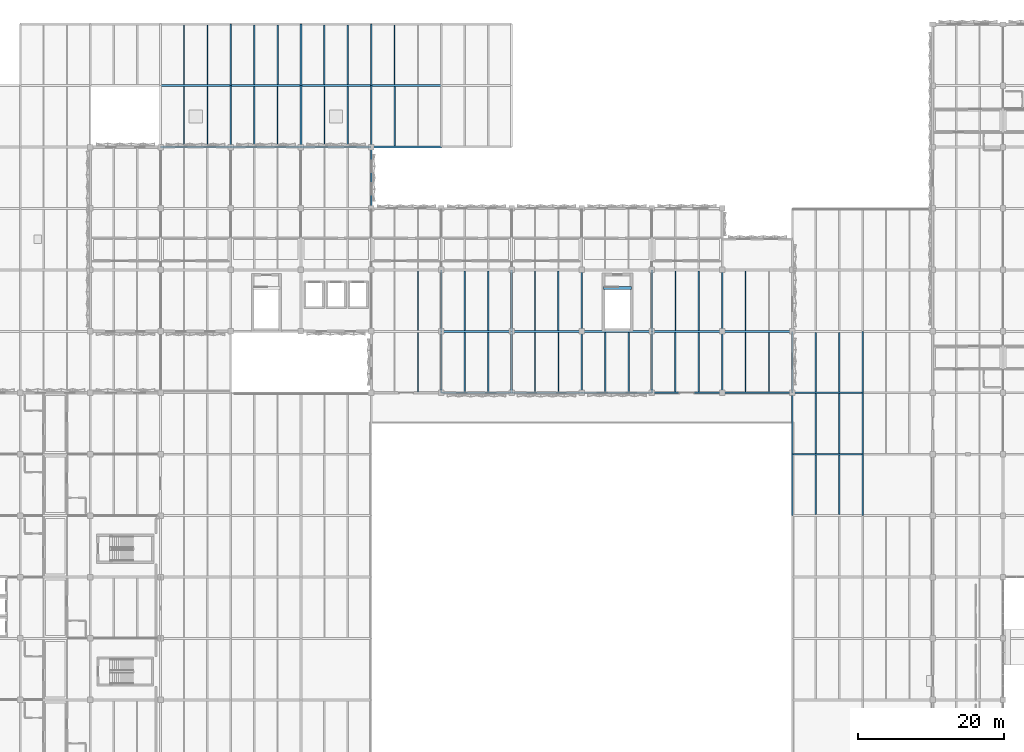
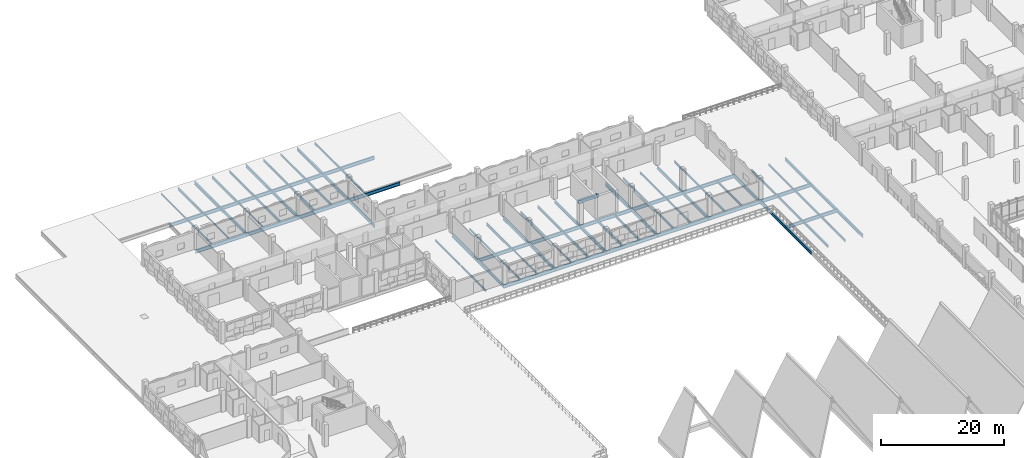
# One storey, part 13 of 86: 83 beams.
"""IFC4 building model written with IfcOpenShell, lengths in metres."""

from ifc_helpers import new_model, si_unit, direction, frame, origin, origin_2d, place, context, subcontext, project, spatial, rectangle, i_section, extrude, material, material_profile, profile_set, type_object, element, save


model = new_model("IFC4")

# Units and contexts
model_context = context("Model", 3, precision=1e-05, world=origin(), true_north=direction((0.0, 1.0)))
body_context = subcontext(model_context, "Body", "Model", "MODEL_VIEW")
ifc_project = project(units=[si_unit("LENGTHUNIT", "METRE"), si_unit("AREAUNIT", "SQUARE_METRE"), si_unit("VOLUMEUNIT", "CUBIC_METRE"), si_unit("PLANEANGLEUNIT", "RADIAN"), si_unit("MASSUNIT", "GRAM", prefix="KILO")], contexts=[model_context])

# Site, building, storey
site_placement = place(None, origin())
site = spatial("IfcSite", under=ifc_project, at=site_placement, CompositionType="ELEMENT")
building_placement = place(site_placement, origin())
building = spatial("IfcBuilding", under=site, at=building_placement, Name="Oolite Switchyard Hospital", CompositionType="ELEMENT")
storey_placement = place(building_placement, frame((0.0, 0.0, 13.5)))
storey = spatial("IfcBuildingStorey", under=building, at=storey_placement, Name="L03", CompositionType="ELEMENT", Elevation=13.5)

# Beams
ifc_material_1 = material(Name="Concrete C40/50", Category="concrete")
ifc_material_profile_1 = material_profile(ifc_material_1, rectangle(XDim=0.39990234375, YDim=0.60009765625, at=origin_2d()), Name="RCB400X600")
ifc_profile_set_1 = profile_set([ifc_material_profile_1], Name="Concrete C40/50")
beam_type_1 = type_object("IfcBeamType", Name="BM-RC400X600", PredefinedType="BEAM", material=ifc_profile_set_1)
beam_1_placement = place(storey_placement, frame((89.375, 98.31005859375, -0.300048828125), z_axis=(1.0, 0.0, 0.0), x_axis=(0.0, 1.0, 0.0)))
element("IfcBeam", 1, at=beam_1_placement, inside=storey, type_object=beam_type_1, Name="L03 ST-09 Stair Throat Trimmer Beam", PredefinedType="BEAM", context=body_context, shape_type="SweptSolid", body=[
    extrude(rectangle(XDim=0.39990234375, YDim=0.60009765625, at=origin_2d()), origin(), (0.0, 0.0, 1.0), 3.81005859375),
])
ifc_material_2 = material(Name="Steel ASTM A992 Grade 50", Category="steel")
ifc_material_profile_2 = material_profile(ifc_material_2, i_section(OverallWidth=0.1650390625, OverallDepth=0.31005859375, WebThickness=0.006103515625, FlangeThickness=0.010009765625, at=origin_2d()), Name="W12X26")
ifc_profile_set_2 = profile_set([ifc_material_profile_2], Name="Steel ASTM A992 Grade 50")
beam_type_2 = type_object("IfcBeamType", Name="BM-W12X26", PredefinedType="JOIST", material=ifc_profile_set_2)
beam_2_placement = place(storey_placement, frame((35.199951171875, 117.72705078125, -0.375), z_axis=(0.0, 1.0, 0.0), x_axis=(-1.0, 0.0, 0.0)))
element("IfcBeam", 2, at=beam_2_placement, inside=storey, type_object=beam_type_2, Name="L03 Secondary Steel Joist 2477", PredefinedType="JOIST", context=body_context, shape_type="SweptSolid", body=[
    extrude(i_section(OverallWidth=0.1650390625, OverallDepth=0.31005859375, WebThickness=0.006103515625, FlangeThickness=0.010009765625, at=origin_2d()), origin(), (0.0, 0.0, 1.0), 8.14599609375),
])
beam_3_placement = place(storey_placement, frame((32.0, 126.126953125, -0.375), z_axis=(0.0, 1.0, 0.0), x_axis=(-1.0, 0.0, 0.0)))
element("IfcBeam", 3, at=beam_3_placement, inside=storey, type_object=beam_type_2, Name="L03 Secondary Steel Joist 2478", PredefinedType="JOIST", context=body_context, shape_type="SweptSolid", body=[
    extrude(i_section(OverallWidth=0.1650390625, OverallDepth=0.31005859375, WebThickness=0.006103515625, FlangeThickness=0.010009765625, at=origin_2d()), origin(), (0.0, 0.0, 1.0), 8.14013671875),
])
for number, where, z_axis, x_axis, name in (
    (4, (41.60009765625, 117.72705078125, -0.375), (0.0, 1.0, 0.0), (-1.0, 0.0, 0.0), "L03 Secondary Steel Joist 2496"),
    (5, (64.0, 92.527099609375, -0.429931640625), (0.0, 1.0, 0.0), (-1.0, 0.0, 0.0), "L03 Secondary Steel Joist 2521"),
    (6, (73.60009765625, 84.126953125, -0.429931640625), (0.0, 1.0, 0.0), (-1.0, 0.0, 0.0), "L03 Secondary Steel Joist 2529"),
    (7, (70.39990234375, 92.527099609375, -0.429931640625), (0.0, 1.0, 0.0), (-1.0, 0.0, 0.0), "L03 Secondary Steel Joist 2530"),
    (8, (80.0, 84.126953125, -0.429931640625), (0.0, 1.0, 0.0), (-1.0, 0.0, 0.0), "L03 Secondary Steel Joist 2538"),
):
    element("IfcBeam", number, at=place(storey_placement, frame(where, z_axis=z_axis, x_axis=x_axis)), inside=storey, type_object=beam_type_2, Name=name, PredefinedType="JOIST", context=body_context, shape_type="SweptSolid", body=[
        extrude(i_section(OverallWidth=0.1650390625, OverallDepth=0.31005859375, WebThickness=0.006103515625, FlangeThickness=0.010009765625, at=origin_2d()), origin(), (0.0, 0.0, 1.0), 8.14599609375),
    ])
ifc_material_profile_3 = material_profile(ifc_material_2, i_section(OverallWidth=0.1708984375, OverallDepth=0.35107421875, WebThickness=0.007080078125, FlangeThickness=0.010009765625, at=origin_2d()), Name="W14X30")
ifc_profile_set_3 = profile_set([ifc_material_profile_3], Name="Steel ASTM A992 Grade 50")
beam_type_3 = type_object("IfcBeamType", Name="BM-W14X30", PredefinedType="JOIST", material=ifc_profile_set_3)
for number, where, z_axis, x_axis, name in (
    (9, (32.0, 117.72705078125, -0.39599609375), (0.0, 1.0, 0.0), (-1.0, 0.0, 0.0), "L03 Secondary Steel Joist 2476"),
    (10, (64.0, 84.126953125, -0.449951171875), (0.0, 1.0, 0.0), (-1.0, 0.0, 0.0), "L03 Secondary Steel Joist 2519"),
    (11, (70.39990234375, 84.126953125, -0.449951171875), (0.0, 1.0, 0.0), (-1.0, 0.0, 0.0), "L03 Secondary Steel Joist 2528"),
):
    element("IfcBeam", number, at=place(storey_placement, frame(where, z_axis=z_axis, x_axis=x_axis)), inside=storey, type_object=beam_type_3, Name=name, PredefinedType="JOIST", context=body_context, shape_type="SweptSolid", body=[
        extrude(i_section(OverallWidth=0.1708984375, OverallDepth=0.35107421875, WebThickness=0.007080078125, FlangeThickness=0.010009765625, at=origin_2d()), origin(), (0.0, 0.0, 1.0), 8.14599609375),
    ])
ifc_material_profile_4 = material_profile(ifc_material_2, i_section(OverallWidth=0.177978515625, OverallDepth=0.403076171875, WebThickness=0.008056640625, FlangeThickness=0.010986328125, at=origin_2d()), Name="W16X36")
ifc_profile_set_4 = profile_set([ifc_material_profile_4], Name="Steel ASTM A992 Grade 50")
beam_type_4 = type_object("IfcBeamType", Name="BM-W16X36", PredefinedType="JOIST", material=ifc_profile_set_4)
beam_4_placement = place(storey_placement, frame((121.60009765625, 84.126953125, -0.490966796875), z_axis=(0.0, 1.0, 0.0), x_axis=(-1.0, 0.0, 0.0)))
element("IfcBeam", 12, at=beam_4_placement, inside=storey, type_object=beam_type_4, Name="L03 Secondary Steel Joist 2569", PredefinedType="JOIST", context=body_context, shape_type="SweptSolid", body=[
    extrude(i_section(OverallWidth=0.177978515625, OverallDepth=0.403076171875, WebThickness=0.008056640625, FlangeThickness=0.010986328125, at=origin_2d()), origin(), (0.0, 0.0, 1.0), 8.14599609375),
])
ifc_material_profile_5 = material_profile(ifc_material_2, i_section(OverallWidth=0.179931640625, OverallDepth=0.4130859375, WebThickness=0.010009765625, FlangeThickness=0.01611328125, at=origin_2d()), Name="W16X50")
ifc_profile_set_5 = profile_set([ifc_material_profile_5], Name="Steel ASTM A992 Grade 50")
beam_type_5 = type_object("IfcBeamType", Name="BM-W16X50", PredefinedType="JOIST", material=ifc_profile_set_5)
for number, where, z_axis, x_axis, name in (
    (13, (102.39990234375, 92.527099609375, -0.48193359375), (0.0, 1.0, 0.0), (-1.0, 0.0, 0.0), "L03 Secondary Steel Joist 2551"),
    (14, (112.0, 84.126953125, -0.48193359375), (0.0, 1.0, 0.0), (-1.0, 0.0, 0.0), "L03 Secondary Steel Joist 2555"),
    (15, (108.800048828125, 92.527099609375, -0.48193359375), (0.0, 1.0, 0.0), (-1.0, 0.0, 0.0), "L03 Secondary Steel Joist 2556"),
    (16, (121.60009765625, 75.72705078125, -0.49609375), (0.0, 1.0, 0.0), (-1.0, 0.0, 0.0), "L03 Secondary Steel Joist 2567"),
    (17, (118.39990234375, 84.126953125, -0.49609375), (0.0, 1.0, 0.0), (-1.0, 0.0, 0.0), "L03 Secondary Steel Joist 2568"),
):
    element("IfcBeam", number, at=place(storey_placement, frame(where, z_axis=z_axis, x_axis=x_axis)), inside=storey, type_object=beam_type_5, Name=name, PredefinedType="JOIST", context=body_context, shape_type="SweptSolid", body=[
        extrude(i_section(OverallWidth=0.179931640625, OverallDepth=0.4130859375, WebThickness=0.010009765625, FlangeThickness=0.01611328125, at=origin_2d()), origin(), (0.0, 0.0, 1.0), 8.14599609375),
    ])
ifc_material_profile_6 = material_profile(ifc_material_2, i_section(OverallWidth=0.153076171875, OverallDepth=0.455078125, WebThickness=0.008056640625, FlangeThickness=0.012939453125, at=origin_2d()), Name="W18X40")
ifc_profile_set_6 = profile_set([ifc_material_profile_6], Name="Steel ASTM A992 Grade 50")
beam_type_6 = type_object("IfcBeamType", Name="BM-W18X40", PredefinedType="JOIST", material=ifc_profile_set_6)
for number, where, z_axis, x_axis, name in (
    (18, (54.39990234375, 126.126953125, -0.447998046875), (0.0, 1.0, 0.0), (-1.0, 0.0, 0.0), "L03 Secondary Steel Joist 2517"),
    (19, (60.800048828125, 126.126953125, -0.447998046875), (0.0, 1.0, 0.0), (-1.0, 0.0, 0.0), "L03 Secondary Steel Joist 2526"),
):
    element("IfcBeam", number, at=place(storey_placement, frame(where, z_axis=z_axis, x_axis=x_axis)), inside=storey, type_object=beam_type_6, Name=name, PredefinedType="JOIST", context=body_context, shape_type="SweptSolid", body=[
        extrude(i_section(OverallWidth=0.153076171875, OverallDepth=0.455078125, WebThickness=0.008056640625, FlangeThickness=0.012939453125, at=origin_2d()), origin(), (0.0, 0.0, 1.0), 8.14013671875),
    ])
for number, where, z_axis, x_axis, name in (
    (20, (102.39990234375, 84.126953125, -0.501953125), (0.0, 1.0, 0.0), (-1.0, 0.0, 0.0), "L03 Secondary Steel Joist 2549"),
    (21, (99.199951171875, 92.527099609375, -0.501953125), (0.0, 1.0, 0.0), (-1.0, 0.0, 0.0), "L03 Secondary Steel Joist 2550"),
    (22, (108.800048828125, 84.126953125, -0.501953125), (0.0, 1.0, 0.0), (-1.0, 0.0, 0.0), "L03 Secondary Steel Joist 2554"),
    (23, (121.60009765625, 67.326904296875, -0.51708984375), (0.0, 1.0, 0.0), (-1.0, 0.0, 0.0), "L03 Secondary Steel Joist 2565"),
    (24, (118.39990234375, 75.72705078125, -0.51708984375), (0.0, 1.0, 0.0), (-1.0, 0.0, 0.0), "L03 Secondary Steel Joist 2566"),
):
    element("IfcBeam", number, at=place(storey_placement, frame(where, z_axis=z_axis, x_axis=x_axis)), inside=storey, type_object=beam_type_6, Name=name, PredefinedType="JOIST", context=body_context, shape_type="SweptSolid", body=[
        extrude(i_section(OverallWidth=0.153076171875, OverallDepth=0.455078125, WebThickness=0.008056640625, FlangeThickness=0.012939453125, at=origin_2d()), origin(), (0.0, 0.0, 1.0), 8.14599609375),
    ])
ifc_material_profile_7 = material_profile(ifc_material_2, i_section(OverallWidth=0.19091796875, OverallDepth=0.4599609375, WebThickness=0.010009765625, FlangeThickness=0.01611328125, at=origin_2d()), Name="W18X55")
ifc_profile_set_7 = profile_set([ifc_material_profile_7], Name="Steel ASTM A992 Grade 50")
beam_type_7 = type_object("IfcBeamType", Name="BM-W18X55", PredefinedType="JOIST", material=ifc_profile_set_7)
beam_5_placement = place(storey_placement, frame((44.800048828125, 126.126953125, -0.449951171875), z_axis=(0.0, 1.0, 0.0), x_axis=(-1.0, 0.0, 0.0)))
element("IfcBeam", 25, at=beam_5_placement, inside=storey, type_object=beam_type_7, Name="L03 Secondary Steel Joist 2499", PredefinedType="JOIST", context=body_context, shape_type="SweptSolid", body=[
    extrude(i_section(OverallWidth=0.19091796875, OverallDepth=0.4599609375, WebThickness=0.010009765625, FlangeThickness=0.01611328125, at=origin_2d()), origin(), (0.0, 0.0, 1.0), 8.14013671875),
])
beam_6_placement = place(storey_placement, frame((54.39990234375, 117.72705078125, -0.449951171875), z_axis=(0.0, 1.0, 0.0), x_axis=(-1.0, 0.0, 0.0)))
element("IfcBeam", 26, at=beam_6_placement, inside=storey, type_object=beam_type_7, Name="L03 Secondary Steel Joist 2515", PredefinedType="JOIST", context=body_context, shape_type="SweptSolid", body=[
    extrude(i_section(OverallWidth=0.19091796875, OverallDepth=0.4599609375, WebThickness=0.010009765625, FlangeThickness=0.01611328125, at=origin_2d()), origin(), (0.0, 0.0, 1.0), 8.14599609375),
])
beam_7_placement = place(storey_placement, frame((51.199951171875, 126.126953125, -0.449951171875), z_axis=(0.0, 1.0, 0.0), x_axis=(-1.0, 0.0, 0.0)))
element("IfcBeam", 27, at=beam_7_placement, inside=storey, type_object=beam_type_7, Name="L03 Secondary Steel Joist 2516", PredefinedType="JOIST", context=body_context, shape_type="SweptSolid", body=[
    extrude(i_section(OverallWidth=0.19091796875, OverallDepth=0.4599609375, WebThickness=0.010009765625, FlangeThickness=0.01611328125, at=origin_2d()), origin(), (0.0, 0.0, 1.0), 8.14013671875),
])
for number, where, z_axis, x_axis, name in (
    (28, (60.800048828125, 117.72705078125, -0.449951171875), (0.0, 1.0, 0.0), (-1.0, 0.0, 0.0), "L03 Secondary Steel Joist 2524"),
    (29, (83.199951171875, 92.527099609375, -0.5048828125), (0.0, 1.0, 0.0), (-1.0, 0.0, 0.0), "L03 Secondary Steel Joist 2541"),
    (30, (92.800048828125, 84.126953125, -0.5048828125), (0.0, 1.0, 0.0), (-1.0, 0.0, 0.0), "L03 Secondary Steel Joist 2545"),
    (31, (99.199951171875, 84.126953125, -0.5048828125), (0.0, 1.0, 0.0), (-1.0, 0.0, 0.0), "L03 Secondary Steel Joist 2548"),
    (32, (118.39990234375, 67.326904296875, -0.52001953125), (0.0, 1.0, 0.0), (-1.0, 0.0, 0.0), "L03 Secondary Steel Joist 2564"),
):
    element("IfcBeam", number, at=place(storey_placement, frame(where, z_axis=z_axis, x_axis=x_axis)), inside=storey, type_object=beam_type_7, Name=name, PredefinedType="JOIST", context=body_context, shape_type="SweptSolid", body=[
        extrude(i_section(OverallWidth=0.19091796875, OverallDepth=0.4599609375, WebThickness=0.010009765625, FlangeThickness=0.01611328125, at=origin_2d()), origin(), (0.0, 0.0, 1.0), 8.14599609375),
    ])
ifc_material_profile_8 = material_profile(ifc_material_2, i_section(OverallWidth=0.166015625, OverallDepth=0.529052734375, WebThickness=0.010009765625, FlangeThickness=0.013916015625, at=origin_2d()), Name="W21X50")
ifc_profile_set_8 = profile_set([ifc_material_profile_8], Name="Steel ASTM A992 Grade 50")
beam_type_8 = type_object("IfcBeamType", Name="BM-W21X50", PredefinedType="JOIST", material=ifc_profile_set_8)
beam_8_placement = place(storey_placement, frame((35.199951171875, 126.126953125, -0.48388671875), z_axis=(0.0, 1.0, 0.0), x_axis=(-1.0, 0.0, 0.0)))
element("IfcBeam", 33, at=beam_8_placement, inside=storey, type_object=beam_type_8, Name="L03 Secondary Steel Joist 2479", PredefinedType="JOIST", context=body_context, shape_type="SweptSolid", body=[
    extrude(i_section(OverallWidth=0.166015625, OverallDepth=0.529052734375, WebThickness=0.010009765625, FlangeThickness=0.013916015625, at=origin_2d()), origin(), (0.0, 0.0, 1.0), 8.14013671875),
])
beam_9_placement = place(storey_placement, frame((44.800048828125, 117.72705078125, -0.48388671875), z_axis=(0.0, 1.0, 0.0), x_axis=(-1.0, 0.0, 0.0)))
element("IfcBeam", 34, at=beam_9_placement, inside=storey, type_object=beam_type_8, Name="L03 Secondary Steel Joist 2497", PredefinedType="JOIST", context=body_context, shape_type="SweptSolid", body=[
    extrude(i_section(OverallWidth=0.166015625, OverallDepth=0.529052734375, WebThickness=0.010009765625, FlangeThickness=0.013916015625, at=origin_2d()), origin(), (0.0, 0.0, 1.0), 8.14599609375),
])
beam_10_placement = place(storey_placement, frame((41.60009765625, 126.126953125, -0.48388671875), z_axis=(0.0, 1.0, 0.0), x_axis=(-1.0, 0.0, 0.0)))
element("IfcBeam", 35, at=beam_10_placement, inside=storey, type_object=beam_type_8, Name="L03 Secondary Steel Joist 2498", PredefinedType="JOIST", context=body_context, shape_type="SweptSolid", body=[
    extrude(i_section(OverallWidth=0.166015625, OverallDepth=0.529052734375, WebThickness=0.010009765625, FlangeThickness=0.013916015625, at=origin_2d()), origin(), (0.0, 0.0, 1.0), 8.14013671875),
])
for number, where, z_axis, x_axis, name in (
    (36, (51.199951171875, 117.72705078125, -0.48388671875), (0.0, 1.0, 0.0), (-1.0, 0.0, 0.0), "L03 Secondary Steel Joist 2514"),
    (37, (73.60009765625, 92.527099609375, -0.5400390625), (0.0, 1.0, 0.0), (-1.0, 0.0, 0.0), "L03 Secondary Steel Joist 2531"),
    (38, (83.199951171875, 84.126953125, -0.5400390625), (0.0, 1.0, 0.0), (-1.0, 0.0, 0.0), "L03 Secondary Steel Joist 2539"),
    (39, (80.0, 92.527099609375, -0.5400390625), (0.0, 1.0, 0.0), (-1.0, 0.0, 0.0), "L03 Secondary Steel Joist 2540"),
    (40, (89.60009765625, 84.126953125, -0.5400390625), (0.0, 1.0, 0.0), (-1.0, 0.0, 0.0), "L03 Secondary Steel Joist 2544"),
):
    element("IfcBeam", number, at=place(storey_placement, frame(where, z_axis=z_axis, x_axis=x_axis)), inside=storey, type_object=beam_type_8, Name=name, PredefinedType="JOIST", context=body_context, shape_type="SweptSolid", body=[
        extrude(i_section(OverallWidth=0.166015625, OverallDepth=0.529052734375, WebThickness=0.010009765625, FlangeThickness=0.013916015625, at=origin_2d()), origin(), (0.0, 0.0, 1.0), 8.14599609375),
    ])
ifc_material_profile_9 = material_profile(ifc_material_2, i_section(OverallWidth=0.22900390625, OverallDepth=0.612060546875, WebThickness=0.011962890625, FlangeThickness=0.02001953125, at=origin_2d()), Name="W24X84")
ifc_profile_set_9 = profile_set([ifc_material_profile_9], Name="Steel ASTM A992 Grade 50")
beam_type_9 = type_object("IfcBeamType", Name="BM-W24X84", PredefinedType="BEAM", material=ifc_profile_set_9)
for number, where, z_axis, x_axis, name in (
    (41, (38.39990234375, 117.60009765625, -0.52587890625), (0.0, 1.0, 0.0), (-1.0, 0.0, 0.0), "L03 Y-Girder 2221"),
    (42, (38.39990234375, 126.0, -0.52587890625), (0.0, 1.0, 0.0), (-1.0, 0.0, 0.0), "L03 Y-Girder 2222"),
    (43, (48.0, 117.60009765625, -0.52587890625), (0.0, 1.0, 0.0), (-1.0, 0.0, 0.0), "L03 Y-Girder 2232"),
    (44, (48.0, 126.0, -0.52587890625), (0.0, 1.0, 0.0), (-1.0, 0.0, 0.0), "L03 Y-Girder 2233"),
):
    element("IfcBeam", number, at=place(storey_placement, frame(where, z_axis=z_axis, x_axis=x_axis)), inside=storey, type_object=beam_type_9, Name=name, PredefinedType="BEAM", context=body_context, shape_type="SweptSolid", body=[
        extrude(i_section(OverallWidth=0.22900390625, OverallDepth=0.612060546875, WebThickness=0.011962890625, FlangeThickness=0.02001953125, at=origin_2d()), origin(), (0.0, 0.0, 1.0), 8.39990234375),
    ])
beam_11_placement = place(storey_placement, frame((57.60009765625, 109.199951171875, -0.6259765625), z_axis=(0.0, 1.0, 0.0), x_axis=(-1.0, 0.0, 0.0)))
element("IfcBeam", 45, at=beam_11_placement, inside=storey, type_object=beam_type_9, Name="L03 Y-Girder 2243", PredefinedType="BEAM", context=body_context, shape_type="SweptSolid", body=[
    extrude(i_section(OverallWidth=0.22900390625, OverallDepth=0.612060546875, WebThickness=0.011962890625, FlangeThickness=0.02001953125, at=origin_2d()), origin(), (0.0, 0.0, 1.0), 8.400146484375),
])
for number, where, z_axis, x_axis, name in (
    (46, (57.60009765625, 117.60009765625, -0.52587890625), (0.0, 1.0, 0.0), (-1.0, 0.0, 0.0), "L03 Y-Girder 2244"),
    (47, (57.60009765625, 126.0, -0.52587890625), (0.0, 1.0, 0.0), (-1.0, 0.0, 0.0), "L03 Y-Girder 2245"),
    (48, (67.199951171875, 84.0, -0.5810546875), (0.0, 1.0, 0.0), (-1.0, 0.0, 0.0), "L03 Y-Girder 2246"),
):
    element("IfcBeam", number, at=place(storey_placement, frame(where, z_axis=z_axis, x_axis=x_axis)), inside=storey, type_object=beam_type_9, Name=name, PredefinedType="BEAM", context=body_context, shape_type="SweptSolid", body=[
        extrude(i_section(OverallWidth=0.22900390625, OverallDepth=0.612060546875, WebThickness=0.011962890625, FlangeThickness=0.02001953125, at=origin_2d()), origin(), (0.0, 0.0, 1.0), 8.39990234375),
    ])
beam_12_placement = place(storey_placement, frame((67.199951171875, 92.39990234375, -0.5810546875), z_axis=(0.0, 1.0, 0.0), x_axis=(-1.0, 0.0, 0.0)))
element("IfcBeam", 49, at=beam_12_placement, inside=storey, type_object=beam_type_9, Name="L03 Y-Girder 2247", PredefinedType="BEAM", context=body_context, shape_type="SweptSolid", body=[
    extrude(i_section(OverallWidth=0.22900390625, OverallDepth=0.612060546875, WebThickness=0.011962890625, FlangeThickness=0.02001953125, at=origin_2d()), origin(), (0.0, 0.0, 1.0), 8.400146484375),
])
beam_13_placement = place(storey_placement, frame((76.800048828125, 84.0, -0.5810546875), z_axis=(0.0, 1.0, 0.0), x_axis=(-1.0, 0.0, 0.0)))
element("IfcBeam", 50, at=beam_13_placement, inside=storey, type_object=beam_type_9, Name="L03 Y-Girder 2251", PredefinedType="BEAM", context=body_context, shape_type="SweptSolid", body=[
    extrude(i_section(OverallWidth=0.22900390625, OverallDepth=0.612060546875, WebThickness=0.011962890625, FlangeThickness=0.02001953125, at=origin_2d()), origin(), (0.0, 0.0, 1.0), 8.39990234375),
])
beam_14_placement = place(storey_placement, frame((76.800048828125, 92.39990234375, -0.5810546875), z_axis=(0.0, 1.0, 0.0), x_axis=(-1.0, 0.0, 0.0)))
element("IfcBeam", 51, at=beam_14_placement, inside=storey, type_object=beam_type_9, Name="L03 Y-Girder 2252", PredefinedType="BEAM", context=body_context, shape_type="SweptSolid", body=[
    extrude(i_section(OverallWidth=0.22900390625, OverallDepth=0.612060546875, WebThickness=0.011962890625, FlangeThickness=0.02001953125, at=origin_2d()), origin(), (0.0, 0.0, 1.0), 8.400146484375),
])
beam_15_placement = place(storey_placement, frame((86.39990234375, 84.0, -0.5810546875), z_axis=(0.0, 1.0, 0.0), x_axis=(-1.0, 0.0, 0.0)))
element("IfcBeam", 52, at=beam_15_placement, inside=storey, type_object=beam_type_9, Name="L03 Y-Girder 2256", PredefinedType="BEAM", context=body_context, shape_type="SweptSolid", body=[
    extrude(i_section(OverallWidth=0.22900390625, OverallDepth=0.612060546875, WebThickness=0.011962890625, FlangeThickness=0.02001953125, at=origin_2d()), origin(), (0.0, 0.0, 1.0), 8.39990234375),
])
beam_16_placement = place(storey_placement, frame((86.39990234375, 92.39990234375, -0.5810546875), z_axis=(0.0, 1.0, 0.0), x_axis=(-1.0, 0.0, 0.0)))
element("IfcBeam", 53, at=beam_16_placement, inside=storey, type_object=beam_type_9, Name="L03 Y-Girder 2257", PredefinedType="BEAM", context=body_context, shape_type="SweptSolid", body=[
    extrude(i_section(OverallWidth=0.22900390625, OverallDepth=0.612060546875, WebThickness=0.011962890625, FlangeThickness=0.02001953125, at=origin_2d()), origin(), (0.0, 0.0, 1.0), 8.400146484375),
])
beam_17_placement = place(storey_placement, frame((96.0, 84.0, -0.5810546875), z_axis=(0.0, 1.0, 0.0), x_axis=(-1.0, 0.0, 0.0)))
element("IfcBeam", 54, at=beam_17_placement, inside=storey, type_object=beam_type_9, Name="L03 Y-Girder 2259", PredefinedType="BEAM", context=body_context, shape_type="SweptSolid", body=[
    extrude(i_section(OverallWidth=0.22900390625, OverallDepth=0.612060546875, WebThickness=0.011962890625, FlangeThickness=0.02001953125, at=origin_2d()), origin(), (0.0, 0.0, 1.0), 8.39990234375),
])
beam_18_placement = place(storey_placement, frame((96.0, 92.39990234375, -0.5810546875), z_axis=(0.0, 1.0, 0.0), x_axis=(-1.0, 0.0, 0.0)))
element("IfcBeam", 55, at=beam_18_placement, inside=storey, type_object=beam_type_9, Name="L03 Y-Girder 2260", PredefinedType="BEAM", context=body_context, shape_type="SweptSolid", body=[
    extrude(i_section(OverallWidth=0.22900390625, OverallDepth=0.612060546875, WebThickness=0.011962890625, FlangeThickness=0.02001953125, at=origin_2d()), origin(), (0.0, 0.0, 1.0), 8.400146484375),
])
beam_19_placement = place(storey_placement, frame((105.60009765625, 84.0, -0.5810546875), z_axis=(0.0, 1.0, 0.0), x_axis=(-1.0, 0.0, 0.0)))
element("IfcBeam", 56, at=beam_19_placement, inside=storey, type_object=beam_type_9, Name="L03 Y-Girder 2262", PredefinedType="BEAM", context=body_context, shape_type="SweptSolid", body=[
    extrude(i_section(OverallWidth=0.22900390625, OverallDepth=0.612060546875, WebThickness=0.011962890625, FlangeThickness=0.02001953125, at=origin_2d()), origin(), (0.0, 0.0, 1.0), 8.39990234375),
])
for number, where, z_axis, x_axis, name in (
    (57, (105.60009765625, 92.39990234375, -0.5810546875), (0.0, 1.0, 0.0), (-1.0, 0.0, 0.0), "L03 Y-Girder 2263"),
    (58, (115.199951171875, 67.199951171875, -0.595947265625), (0.0, 1.0, 0.0), (-1.0, 0.0, 0.0), "L03 Y-Girder 2269"),
):
    element("IfcBeam", number, at=place(storey_placement, frame(where, z_axis=z_axis, x_axis=x_axis)), inside=storey, type_object=beam_type_9, Name=name, PredefinedType="BEAM", context=body_context, shape_type="SweptSolid", body=[
        extrude(i_section(OverallWidth=0.22900390625, OverallDepth=0.612060546875, WebThickness=0.011962890625, FlangeThickness=0.02001953125, at=origin_2d()), origin(), (0.0, 0.0, 1.0), 8.400146484375),
    ])
for number, where, z_axis, x_axis, name in (
    (59, (115.199951171875, 75.60009765625, -0.595947265625), (0.0, 1.0, 0.0), (-1.0, 0.0, 0.0), "L03 Y-Girder 2270"),
    (60, (115.199951171875, 84.0, -0.595947265625), (0.0, 1.0, 0.0), (-1.0, 0.0, 0.0), "L03 Y-Girder 2271"),
):
    element("IfcBeam", number, at=place(storey_placement, frame(where, z_axis=z_axis, x_axis=x_axis)), inside=storey, type_object=beam_type_9, Name=name, PredefinedType="BEAM", context=body_context, shape_type="SweptSolid", body=[
        extrude(i_section(OverallWidth=0.22900390625, OverallDepth=0.612060546875, WebThickness=0.011962890625, FlangeThickness=0.02001953125, at=origin_2d()), origin(), (0.0, 0.0, 1.0), 8.39990234375),
    ])
beam_20_placement = place(storey_placement, frame((124.800048828125, 67.199951171875, -0.595947265625), z_axis=(0.0, 1.0, 0.0), x_axis=(-1.0, 0.0, 0.0)))
element("IfcBeam", 61, at=beam_20_placement, inside=storey, type_object=beam_type_9, Name="L03 Y-Girder 2278", PredefinedType="BEAM", context=body_context, shape_type="SweptSolid", body=[
    extrude(i_section(OverallWidth=0.22900390625, OverallDepth=0.612060546875, WebThickness=0.011962890625, FlangeThickness=0.02001953125, at=origin_2d()), origin(), (0.0, 0.0, 1.0), 8.400146484375),
])
for number, where, z_axis, x_axis, name in (
    (62, (124.800048828125, 75.60009765625, -0.595947265625), (0.0, 1.0, 0.0), (-1.0, 0.0, 0.0), "L03 Y-Girder 2279"),
    (63, (124.800048828125, 84.0, -0.595947265625), (0.0, 1.0, 0.0), (-1.0, 0.0, 0.0), "L03 Y-Girder 2280"),
):
    element("IfcBeam", number, at=place(storey_placement, frame(where, z_axis=z_axis, x_axis=x_axis)), inside=storey, type_object=beam_type_9, Name=name, PredefinedType="BEAM", context=body_context, shape_type="SweptSolid", body=[
        extrude(i_section(OverallWidth=0.22900390625, OverallDepth=0.612060546875, WebThickness=0.011962890625, FlangeThickness=0.02001953125, at=origin_2d()), origin(), (0.0, 0.0, 1.0), 8.39990234375),
    ])
ifc_material_profile_10 = material_profile(ifc_material_2, i_section(OverallWidth=0.25390625, OverallDepth=0.68408203125, WebThickness=0.011962890625, FlangeThickness=0.01904296875, at=origin_2d()), Name="W27X94")
ifc_profile_set_10 = profile_set([ifc_material_profile_10], Name="Steel ASTM A992 Grade 50")
beam_type_10 = type_object("IfcBeamType", Name="BM-W27X94", PredefinedType="BEAM", material=ifc_profile_set_10)
for number, where, z_axis, x_axis, name in (
    (64, (115.199951171875, 75.60009765625, -0.632080078125), (1.0, 0.0, 0.0), (0.0, 1.0, 0.0), "L03 X-Girder 2029"),
    (65, (67.199951171875, 84.0, -0.632080078125), (1.0, 0.0, 0.0), (0.0, 1.0, 0.0), "L03 X-Girder 2045"),
):
    element("IfcBeam", number, at=place(storey_placement, frame(where, z_axis=z_axis, x_axis=x_axis)), inside=storey, type_object=beam_type_10, Name=name, PredefinedType="BEAM", context=body_context, shape_type="SweptSolid", body=[
        extrude(i_section(OverallWidth=0.25390625, OverallDepth=0.68408203125, WebThickness=0.011962890625, FlangeThickness=0.01904296875, at=origin_2d()), origin(), (0.0, 0.0, 1.0), 9.60009765625),
    ])
beam_21_placement = place(storey_placement, frame((76.800048828125, 84.0, -0.632080078125), z_axis=(1.0, 0.0, 0.0), x_axis=(0.0, 1.0, 0.0)))
element("IfcBeam", 66, at=beam_21_placement, inside=storey, type_object=beam_type_10, Name="L03 X-Girder 2046", PredefinedType="BEAM", context=body_context, shape_type="SweptSolid", body=[
    extrude(i_section(OverallWidth=0.25390625, OverallDepth=0.68408203125, WebThickness=0.011962890625, FlangeThickness=0.01904296875, at=origin_2d()), origin(), (0.0, 0.0, 1.0), 9.599853515625),
])
for number, where, z_axis, x_axis, name in (
    (67, (86.39990234375, 84.0, -0.632080078125), (1.0, 0.0, 0.0), (0.0, 1.0, 0.0), "L03 X-Girder 2047"),
    (68, (96.0, 84.0, -0.632080078125), (1.0, 0.0, 0.0), (0.0, 1.0, 0.0), "L03 X-Girder 2048"),
):
    element("IfcBeam", number, at=place(storey_placement, frame(where, z_axis=z_axis, x_axis=x_axis)), inside=storey, type_object=beam_type_10, Name=name, PredefinedType="BEAM", context=body_context, shape_type="SweptSolid", body=[
        extrude(i_section(OverallWidth=0.25390625, OverallDepth=0.68408203125, WebThickness=0.011962890625, FlangeThickness=0.01904296875, at=origin_2d()), origin(), (0.0, 0.0, 1.0), 9.60009765625),
    ])
beam_22_placement = place(storey_placement, frame((105.60009765625, 84.0, -0.632080078125), z_axis=(1.0, 0.0, 0.0), x_axis=(0.0, 1.0, 0.0)))
element("IfcBeam", 69, at=beam_22_placement, inside=storey, type_object=beam_type_10, Name="L03 X-Girder 2049", PredefinedType="BEAM", context=body_context, shape_type="SweptSolid", body=[
    extrude(i_section(OverallWidth=0.25390625, OverallDepth=0.68408203125, WebThickness=0.011962890625, FlangeThickness=0.01904296875, at=origin_2d()), origin(), (0.0, 0.0, 1.0), 9.599853515625),
])
for number, where, z_axis, x_axis, name in (
    (70, (115.199951171875, 84.0, -0.632080078125), (1.0, 0.0, 0.0), (0.0, 1.0, 0.0), "L03 X-Girder 2050"),
    (71, (67.199951171875, 92.39990234375, -0.616943359375), (1.0, 0.0, 0.0), (0.0, 1.0, 0.0), "L03 X-Girder 2063"),
):
    element("IfcBeam", number, at=place(storey_placement, frame(where, z_axis=z_axis, x_axis=x_axis)), inside=storey, type_object=beam_type_10, Name=name, PredefinedType="BEAM", context=body_context, shape_type="SweptSolid", body=[
        extrude(i_section(OverallWidth=0.25390625, OverallDepth=0.68408203125, WebThickness=0.011962890625, FlangeThickness=0.01904296875, at=origin_2d()), origin(), (0.0, 0.0, 1.0), 9.60009765625),
    ])
beam_23_placement = place(storey_placement, frame((76.800048828125, 92.39990234375, -0.616943359375), z_axis=(1.0, 0.0, 0.0), x_axis=(0.0, 1.0, 0.0)))
element("IfcBeam", 72, at=beam_23_placement, inside=storey, type_object=beam_type_10, Name="L03 X-Girder 2064", PredefinedType="BEAM", context=body_context, shape_type="SweptSolid", body=[
    extrude(i_section(OverallWidth=0.25390625, OverallDepth=0.68408203125, WebThickness=0.011962890625, FlangeThickness=0.01904296875, at=origin_2d()), origin(), (0.0, 0.0, 1.0), 9.599853515625),
])
for number, where, z_axis, x_axis, name in (
    (73, (86.39990234375, 92.39990234375, -0.616943359375), (1.0, 0.0, 0.0), (0.0, 1.0, 0.0), "L03 X-Girder 2065"),
    (74, (96.0, 92.39990234375, -0.616943359375), (1.0, 0.0, 0.0), (0.0, 1.0, 0.0), "L03 X-Girder 2066"),
):
    element("IfcBeam", number, at=place(storey_placement, frame(where, z_axis=z_axis, x_axis=x_axis)), inside=storey, type_object=beam_type_10, Name=name, PredefinedType="BEAM", context=body_context, shape_type="SweptSolid", body=[
        extrude(i_section(OverallWidth=0.25390625, OverallDepth=0.68408203125, WebThickness=0.011962890625, FlangeThickness=0.01904296875, at=origin_2d()), origin(), (0.0, 0.0, 1.0), 9.60009765625),
    ])
for number, where, z_axis, x_axis, name in (
    (75, (105.60009765625, 92.39990234375, -0.616943359375), (1.0, 0.0, 0.0), (0.0, 1.0, 0.0), "L03 X-Girder 2067"),
    (76, (28.800048828125, 117.60009765625, -0.662109375), (1.0, 0.0, 0.0), (0.0, 1.0, 0.0), "L03 X-Girder 2120"),
):
    element("IfcBeam", number, at=place(storey_placement, frame(where, z_axis=z_axis, x_axis=x_axis)), inside=storey, type_object=beam_type_10, Name=name, PredefinedType="BEAM", context=body_context, shape_type="SweptSolid", body=[
        extrude(i_section(OverallWidth=0.25390625, OverallDepth=0.68408203125, WebThickness=0.011962890625, FlangeThickness=0.01904296875, at=origin_2d()), origin(), (0.0, 0.0, 1.0), 9.599853515625),
    ])
for number, where, z_axis, x_axis, name in (
    (77, (38.39990234375, 117.60009765625, -0.662109375), (1.0, 0.0, 0.0), (0.0, 1.0, 0.0), "L03 X-Girder 2121"),
    (78, (48.0, 117.60009765625, -0.662109375), (1.0, 0.0, 0.0), (0.0, 1.0, 0.0), "L03 X-Girder 2122"),
):
    element("IfcBeam", number, at=place(storey_placement, frame(where, z_axis=z_axis, x_axis=x_axis)), inside=storey, type_object=beam_type_10, Name=name, PredefinedType="BEAM", context=body_context, shape_type="SweptSolid", body=[
        extrude(i_section(OverallWidth=0.25390625, OverallDepth=0.68408203125, WebThickness=0.011962890625, FlangeThickness=0.01904296875, at=origin_2d()), origin(), (0.0, 0.0, 1.0), 9.60009765625),
    ])
for number, where, z_axis, x_axis, name in (
    (79, (57.60009765625, 117.60009765625, -0.56201171875), (1.0, 0.0, 0.0), (0.0, 1.0, 0.0), "L03 X-Girder 2123"),
    (80, (28.800048828125, 126.0, -0.56201171875), (1.0, 0.0, 0.0), (0.0, 1.0, 0.0), "L03 X-Girder 2136"),
):
    element("IfcBeam", number, at=place(storey_placement, frame(where, z_axis=z_axis, x_axis=x_axis)), inside=storey, type_object=beam_type_10, Name=name, PredefinedType="BEAM", context=body_context, shape_type="SweptSolid", body=[
        extrude(i_section(OverallWidth=0.25390625, OverallDepth=0.68408203125, WebThickness=0.011962890625, FlangeThickness=0.01904296875, at=origin_2d()), origin(), (0.0, 0.0, 1.0), 9.599853515625),
    ])
for number, where, z_axis, x_axis, name in (
    (81, (38.39990234375, 126.0, -0.56201171875), (1.0, 0.0, 0.0), (0.0, 1.0, 0.0), "L03 X-Girder 2137"),
    (82, (48.0, 126.0, -0.56201171875), (1.0, 0.0, 0.0), (0.0, 1.0, 0.0), "L03 X-Girder 2138"),
):
    element("IfcBeam", number, at=place(storey_placement, frame(where, z_axis=z_axis, x_axis=x_axis)), inside=storey, type_object=beam_type_10, Name=name, PredefinedType="BEAM", context=body_context, shape_type="SweptSolid", body=[
        extrude(i_section(OverallWidth=0.25390625, OverallDepth=0.68408203125, WebThickness=0.011962890625, FlangeThickness=0.01904296875, at=origin_2d()), origin(), (0.0, 0.0, 1.0), 9.60009765625),
    ])
beam_24_placement = place(storey_placement, frame((57.60009765625, 126.0, -0.56201171875), z_axis=(1.0, 0.0, 0.0), x_axis=(0.0, 1.0, 0.0)))
element("IfcBeam", 83, at=beam_24_placement, inside=storey, type_object=beam_type_10, Name="L03 X-Girder 2139", PredefinedType="BEAM", context=body_context, shape_type="SweptSolid", body=[
    extrude(i_section(OverallWidth=0.25390625, OverallDepth=0.68408203125, WebThickness=0.011962890625, FlangeThickness=0.01904296875, at=origin_2d()), origin(), (0.0, 0.0, 1.0), 9.599853515625),
])

save(model, "model.ifc")
